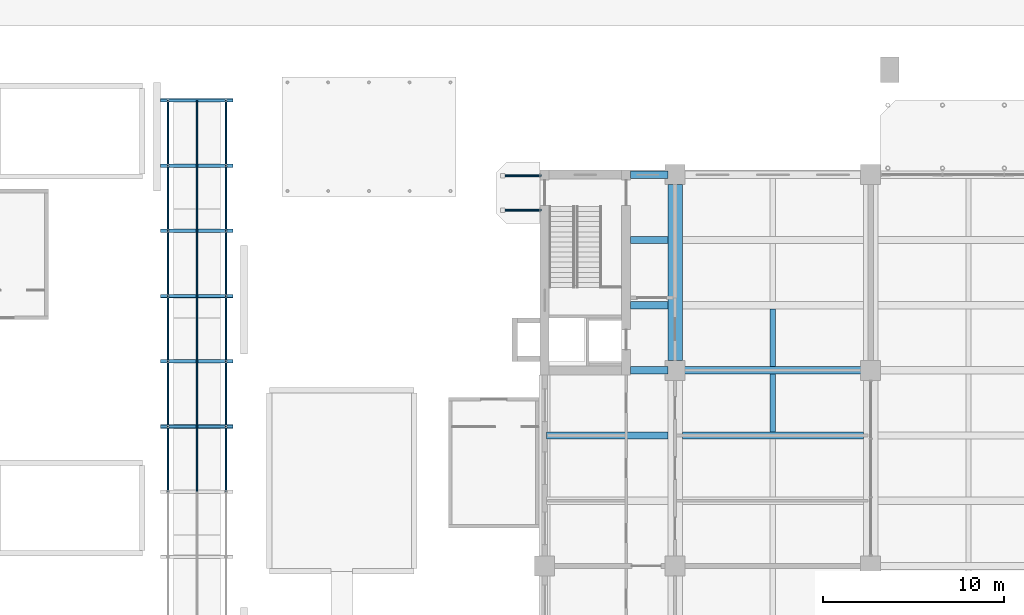
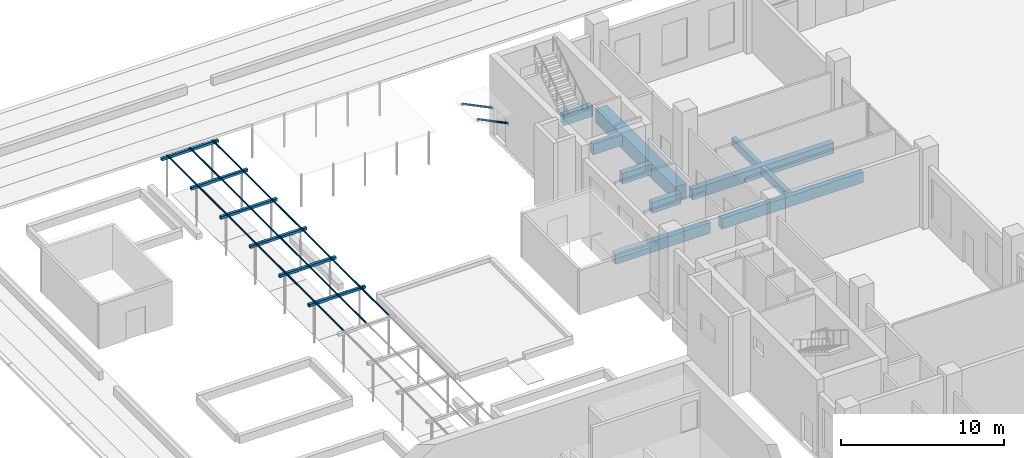
# One storey, part 33 of 71: 20 members, 16 beams.
"""IFC4 building model written with IfcOpenShell, lengths in metres."""

from ifc_helpers import new_model, si_unit, direction, frame, origin, origin_2d, place, context, subcontext, project, spatial, rectangle, hollow_rectangle, hollow_circle, extrude, material, material_profile, profile_set, type_object, element, save


model = new_model("IFC4")

# Units and contexts
model_context = context("Model", 3, precision=1e-05, world=origin(), true_north=direction((0.0, 1.0)))
body_context = subcontext(model_context, "Body", "Model", "MODEL_VIEW")
ifc_project = project(units=[si_unit("LENGTHUNIT", "METRE"), si_unit("AREAUNIT", "SQUARE_METRE"), si_unit("VOLUMEUNIT", "CUBIC_METRE"), si_unit("PLANEANGLEUNIT", "RADIAN"), si_unit("MASSUNIT", "GRAM", prefix="KILO")], contexts=[model_context])

# Site, building, storey
site_placement = place(None, origin())
site = spatial("IfcSite", under=ifc_project, at=site_placement, CompositionType="ELEMENT")
building_placement = place(site_placement, origin())
building = spatial("IfcBuilding", under=site, at=building_placement, Name="Basin Gate Institute", CompositionType="ELEMENT")
storey_placement = place(building_placement, origin())
storey = spatial("IfcBuildingStorey", under=building, at=storey_placement, Name="L00", CompositionType="ELEMENT", Elevation=0.0)

# Beams
ifc_material_1 = material(Name="Concrete 40 MPa", Category="concrete")
ifc_material_profile_1 = material_profile(ifc_material_1, rectangle(XDim=0.39990234375, YDim=0.800048828125, at=origin_2d()), Name="Beam B2 400 x 800")
ifc_profile_set_1 = profile_set([ifc_material_profile_1], Name="Concrete 40 MPa")
beam_type_1 = type_object("IfcBeamType", Name="Beam B2 R180", PredefinedType="BEAM", material=ifc_profile_set_1)
beam_1_placement = place(storey_placement, frame((68.800048828125, 85.5, -0.699951171875), z_axis=(1.0, 0.0, 0.0), x_axis=(0.0, 1.0, 0.0)))
element("IfcBeam", 1, at=beam_1_placement, inside=storey, type_object=beam_type_1, material=ifc_profile_set_1, Name="BEAM/L00/W/EW/15", PredefinedType="BEAM", context=body_context, shape_type="SweptSolid", body=[
    extrude(rectangle(XDim=0.39990234375, YDim=0.800048828125, at=origin_2d()), origin(), (0.0, 0.0, 1.0), 10.0),
])
beam_2_placement = place(storey_placement, frame((61.300048828125, 85.5, -0.699951171875), z_axis=(1.0, 0.0, 0.0), x_axis=(0.0, 1.0, 0.0)))
element("IfcBeam", 2, at=beam_2_placement, inside=storey, type_object=beam_type_1, material=ifc_profile_set_1, Name="BEAM/L00/W/OUT/15", PredefinedType="BEAM", context=body_context, shape_type="SweptSolid", body=[
    extrude(rectangle(XDim=0.39990234375, YDim=0.800048828125, at=origin_2d()), origin(), (0.0, 0.0, 1.0), 6.699951171875),
])
beam_3_placement = place(storey_placement, frame((68.800048828125, 89.10009765625, -0.699951171875), z_axis=(1.0, 0.0, 0.0), x_axis=(0.0, 1.0, 0.0)))
element("IfcBeam", 3, at=beam_3_placement, inside=storey, type_object=beam_type_1, material=ifc_profile_set_1, Name="BEAM/L00/W/EW/16", PredefinedType="BEAM", context=body_context, shape_type="SweptSolid", body=[
    extrude(rectangle(XDim=0.39990234375, YDim=0.800048828125, at=origin_2d()), origin(), (0.0, 0.0, 1.0), 10.0),
])
for number, where, z_axis, x_axis, name in (
    (4, (65.949951171875, 89.10009765625, -0.699951171875), (1.0, 0.0, 0.0), (0.0, 1.0, 0.0), "BEAM/L00/W/CORR/16"),
    (5, (65.949951171875, 92.699951171875, -0.699951171875), (1.0, 0.0, 0.0), (0.0, 1.0, 0.0), "BEAM/L00/W/CORR/17"),
    (6, (65.949951171875, 96.300048828125, -0.699951171875), (1.0, 0.0, 0.0), (0.0, 1.0, 0.0), "BEAM/L00/W/CORR/18"),
    (7, (65.949951171875, 99.89990234375, -0.699951171875), (1.0, 0.0, 0.0), (0.0, 1.0, 0.0), "BEAM/L00/W/CORR/19"),
):
    element("IfcBeam", number, at=place(storey_placement, frame(where, z_axis=z_axis, x_axis=x_axis)), inside=storey, type_object=beam_type_1, material=ifc_profile_set_1, Name=name, PredefinedType="BEAM", context=body_context, shape_type="SweptSolid", body=[
        extrude(rectangle(XDim=0.39990234375, YDim=0.800048828125, at=origin_2d()), origin(), (0.0, 0.0, 1.0), 2.050048828125),
    ])

# Members
ifc_material_2 = material(Name="Structural steel SN490", Category="steel")
ifc_material_profile_2 = material_profile(ifc_material_2, hollow_circle(Radius=0.06982421875, WallThickness=0.006103515625, at=origin_2d()), Name="CHS139x6")
ifc_profile_set_2 = profile_set([ifc_material_profile_2], Name="Structural steel SN490")
member_type_1 = type_object("IfcMemberType", Name="Canopy strut TD4", PredefinedType="BRACE", material=ifc_profile_set_2)
for number, where, z_axis, x_axis, name in (
    (8, (61.0, 97.949951171875, 1.89990234375), (-0.898551608074, 0.0, 0.438867870353), (0.0, -1.0, 0.0), "Canopy strut WN 1"),
    (9, (61.0, 99.85009765625, 1.89990234375), (-0.898551608074, 0.0, 0.438867870353), (0.0, -1.0, 0.0), "Canopy strut WN 2"),
):
    element("IfcMember", number, at=place(storey_placement, frame(where, z_axis=z_axis, x_axis=x_axis)), inside=storey, type_object=member_type_1, material=ifc_profile_set_2, Name=name, PredefinedType="BRACE", context=body_context, shape_type="SweptSolid", body=[
        extrude(hollow_circle(Radius=0.06982421875, WallThickness=0.006103515625, at=origin_2d()), origin(), (0.0, 0.0, 1.0), 2.392578125),
    ])

# Beams
ifc_material_3 = material(Name="Structural steel SN490", Category="steel")
ifc_material_profile_3 = material_profile(ifc_material_3, hollow_rectangle(XDim=0.199951171875, YDim=0.199951171875, WallThickness=0.009033203125, InnerFilletRadius=0.009033203125, OuterFilletRadius=0.01806640625, at=origin_2d()), Name="RHS200x200x9")
ifc_profile_set_3 = profile_set([ifc_material_profile_3], Name="Structural steel SN490")
beam_type_2 = type_object("IfcBeamType", Name="Court steel TD2 Beam beam", PredefinedType="BEAM", material=ifc_profile_set_3)
for number, where, z_axis, x_axis, name in (
    (10, (40.0, 86.0, 2.89990234375), (1.0, 0.0, 0.0), (0.0, 1.0, 0.0), "Laboratory Garden pergola beam"),
    (11, (40.0, 89.60009765625, 2.89990234375), (1.0, 0.0, 0.0), (0.0, 1.0, 0.0), "Laboratory Garden pergola beam"),
    (12, (40.0, 93.199951171875, 2.89990234375), (1.0, 0.0, 0.0), (0.0, 1.0, 0.0), "Laboratory Garden pergola beam"),
    (13, (40.0, 96.800048828125, 2.89990234375), (1.0, 0.0, 0.0), (0.0, 1.0, 0.0), "Laboratory Garden pergola beam"),
    (14, (40.0, 100.39990234375, 2.89990234375), (1.0, 0.0, 0.0), (0.0, 1.0, 0.0), "Laboratory Garden pergola beam"),
    (15, (40.0, 104.0, 2.89990234375), (1.0, 0.0, 0.0), (0.0, 1.0, 0.0), "Laboratory Garden pergola beam"),
):
    element("IfcBeam", number, at=place(storey_placement, frame(where, z_axis=z_axis, x_axis=x_axis)), inside=storey, type_object=beam_type_2, material=ifc_profile_set_3, Name=name, PredefinedType="BEAM", context=body_context, shape_type="SweptSolid", body=[
        extrude(hollow_rectangle(XDim=0.199951171875, YDim=0.199951171875, WallThickness=0.009033203125, InnerFilletRadius=0.009033203125, OuterFilletRadius=0.01806640625, at=origin_2d()), origin(), (0.0, 0.0, 1.0), 4.0),
    ])

# Members
ifc_material_4 = material(Name="Structural steel SN490", Category="steel")
ifc_material_profile_4 = material_profile(ifc_material_4, hollow_circle(Radius=0.05712890625, WallThickness=0.0048828125, at=origin_2d()), Name="CHS114x5")
ifc_profile_set_4 = profile_set([ifc_material_profile_4], Name="Structural steel SN490")
member_type_2 = type_object("IfcMemberType", Name="Court steel TD5 Member purlin", PredefinedType="PURLIN", material=ifc_profile_set_4)
for number, where, z_axis, x_axis, name in (
    (16, (40.39990234375, 82.39990234375, 3.05712890625), (0.0, 1.0, 0.0), (-1.0, 0.0, 0.0), "Laboratory Garden pergola joist"),
    (17, (43.60009765625, 82.39990234375, 3.05712890625), (0.0, 1.0, 0.0), (-1.0, 0.0, 0.0), "Laboratory Garden pergola joist"),
    (18, (42.0, 82.39990234375, 3.05712890625), (0.0, 1.0, 0.0), (-1.0, 0.0, 0.0), "Laboratory Garden pergola joist"),
    (19, (40.39990234375, 86.0, 3.05712890625), (0.0, 1.0, 0.0), (-1.0, 0.0, 0.0), "Laboratory Garden pergola joist"),
    (20, (43.60009765625, 86.0, 3.05712890625), (0.0, 1.0, 0.0), (-1.0, 0.0, 0.0), "Laboratory Garden pergola joist"),
    (21, (42.0, 86.0, 3.05712890625), (0.0, 1.0, 0.0), (-1.0, 0.0, 0.0), "Laboratory Garden pergola joist"),
):
    element("IfcMember", number, at=place(storey_placement, frame(where, z_axis=z_axis, x_axis=x_axis)), inside=storey, type_object=member_type_2, material=ifc_profile_set_4, Name=name, PredefinedType="PURLIN", context=body_context, shape_type="SweptSolid", body=[
        extrude(hollow_circle(Radius=0.05712890625, WallThickness=0.0048828125, at=origin_2d()), origin(), (0.0, 0.0, 1.0), 3.60009765625),
    ])
for number, where, z_axis, x_axis, name in (
    (22, (40.39990234375, 89.60009765625, 3.05712890625), (0.0, 1.0, 0.0), (-1.0, 0.0, 0.0), "Laboratory Garden pergola joist"),
    (23, (43.60009765625, 89.60009765625, 3.05712890625), (0.0, 1.0, 0.0), (-1.0, 0.0, 0.0), "Laboratory Garden pergola joist"),
    (24, (42.0, 89.60009765625, 3.05712890625), (0.0, 1.0, 0.0), (-1.0, 0.0, 0.0), "Laboratory Garden pergola joist"),
):
    element("IfcMember", number, at=place(storey_placement, frame(where, z_axis=z_axis, x_axis=x_axis)), inside=storey, type_object=member_type_2, material=ifc_profile_set_4, Name=name, PredefinedType="PURLIN", context=body_context, shape_type="SweptSolid", body=[
        extrude(hollow_circle(Radius=0.05712890625, WallThickness=0.0048828125, at=origin_2d()), origin(), (0.0, 0.0, 1.0), 3.599853515625),
    ])
for number, where, z_axis, x_axis, name in (
    (25, (40.39990234375, 93.199951171875, 3.05712890625), (0.0, 1.0, 0.0), (-1.0, 0.0, 0.0), "Laboratory Garden pergola joist"),
    (26, (43.60009765625, 93.199951171875, 3.05712890625), (0.0, 1.0, 0.0), (-1.0, 0.0, 0.0), "Laboratory Garden pergola joist"),
    (27, (42.0, 93.199951171875, 3.05712890625), (0.0, 1.0, 0.0), (-1.0, 0.0, 0.0), "Laboratory Garden pergola joist"),
):
    element("IfcMember", number, at=place(storey_placement, frame(where, z_axis=z_axis, x_axis=x_axis)), inside=storey, type_object=member_type_2, material=ifc_profile_set_4, Name=name, PredefinedType="PURLIN", context=body_context, shape_type="SweptSolid", body=[
        extrude(hollow_circle(Radius=0.05712890625, WallThickness=0.0048828125, at=origin_2d()), origin(), (0.0, 0.0, 1.0), 3.60009765625),
    ])
for number, where, z_axis, x_axis, name in (
    (28, (40.39990234375, 96.800048828125, 3.05712890625), (0.0, 1.0, 0.0), (-1.0, 0.0, 0.0), "Laboratory Garden pergola joist"),
    (29, (43.60009765625, 96.800048828125, 3.05712890625), (0.0, 1.0, 0.0), (-1.0, 0.0, 0.0), "Laboratory Garden pergola joist"),
    (30, (42.0, 96.800048828125, 3.05712890625), (0.0, 1.0, 0.0), (-1.0, 0.0, 0.0), "Laboratory Garden pergola joist"),
):
    element("IfcMember", number, at=place(storey_placement, frame(where, z_axis=z_axis, x_axis=x_axis)), inside=storey, type_object=member_type_2, material=ifc_profile_set_4, Name=name, PredefinedType="PURLIN", context=body_context, shape_type="SweptSolid", body=[
        extrude(hollow_circle(Radius=0.05712890625, WallThickness=0.0048828125, at=origin_2d()), origin(), (0.0, 0.0, 1.0), 3.599853515625),
    ])
for number, where, z_axis, x_axis, name in (
    (31, (40.39990234375, 100.39990234375, 3.05712890625), (0.0, 1.0, 0.0), (-1.0, 0.0, 0.0), "Laboratory Garden pergola joist"),
    (32, (43.60009765625, 100.39990234375, 3.05712890625), (0.0, 1.0, 0.0), (-1.0, 0.0, 0.0), "Laboratory Garden pergola joist"),
    (33, (42.0, 100.39990234375, 3.05712890625), (0.0, 1.0, 0.0), (-1.0, 0.0, 0.0), "Laboratory Garden pergola joist"),
):
    element("IfcMember", number, at=place(storey_placement, frame(where, z_axis=z_axis, x_axis=x_axis)), inside=storey, type_object=member_type_2, material=ifc_profile_set_4, Name=name, PredefinedType="PURLIN", context=body_context, shape_type="SweptSolid", body=[
        extrude(hollow_circle(Radius=0.05712890625, WallThickness=0.0048828125, at=origin_2d()), origin(), (0.0, 0.0, 1.0), 3.60009765625),
    ])

# Beams
ifc_material_5 = material(Name="Concrete 50 MPa", Category="concrete")
ifc_material_profile_5 = material_profile(ifc_material_5, rectangle(XDim=0.800048828125, YDim=1.10009765625, at=origin_2d()), Name="Girder G2 800 x 1100")
ifc_profile_set_5 = profile_set([ifc_material_profile_5], Name="Concrete 50 MPa")
beam_type_3 = type_object("IfcBeamType", Name="Girder G2 R180", PredefinedType="BEAM", material=ifc_profile_set_5)
beam_4_placement = place(storey_placement, frame((68.39990234375, 89.64990234375, -0.85009765625), z_axis=(0.0, 1.0, 0.0), x_axis=(-1.0, 0.0, 0.0)))
element("IfcBeam", 34, at=beam_4_placement, inside=storey, type_object=beam_type_3, material=ifc_profile_set_5, Name="GIR/L00/W5/6", PredefinedType="BEAM", context=body_context, shape_type="SweptSolid", body=[
    extrude(rectangle(XDim=0.800048828125, YDim=1.10009765625, at=origin_2d()), origin(), (0.0, 0.0, 1.0), 9.7001953125),
])
ifc_material_6 = material(Name="Concrete 40 MPa", Category="concrete")
ifc_material_profile_6 = material_profile(ifc_material_6, rectangle(XDim=0.300048828125, YDim=0.60009765625, at=origin_2d()), Name="Rib R2 300 x 600")
ifc_profile_set_6 = profile_set([ifc_material_profile_6], Name="Concrete 40 MPa")
beam_type_4 = type_object("IfcBeamType", Name="Rib R2 R180", PredefinedType="JOIST", material=ifc_profile_set_6)
for number, where, z_axis, x_axis, name in (
    (35, (73.800048828125, 85.699951171875, -0.60009765625), (0.0, 1.0, 0.0), (-1.0, 0.0, 0.0), "BEAM/L00/W/RIB/15"),
    (36, (73.800048828125, 89.300048828125, -0.60009765625), (0.0, 1.0, 0.0), (-1.0, 0.0, 0.0), "BEAM/L00/W/RIB/16"),
):
    element("IfcBeam", number, at=place(storey_placement, frame(where, z_axis=z_axis, x_axis=x_axis)), inside=storey, type_object=beam_type_4, material=ifc_profile_set_6, Name=name, PredefinedType="JOIST", context=body_context, shape_type="SweptSolid", body=[
        extrude(rectangle(XDim=0.300048828125, YDim=0.60009765625, at=origin_2d()), origin(), (0.0, 0.0, 1.0), 3.199951171875),
    ])

save(model, "model.ifc")
